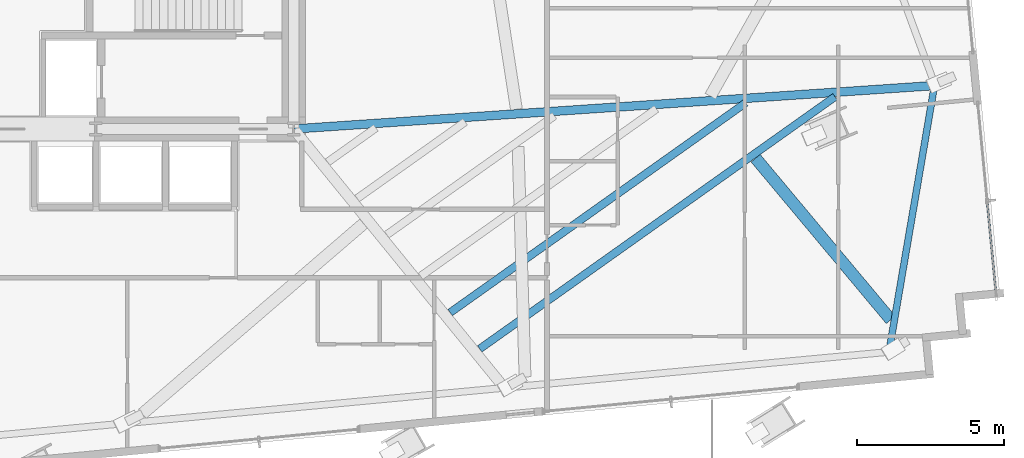
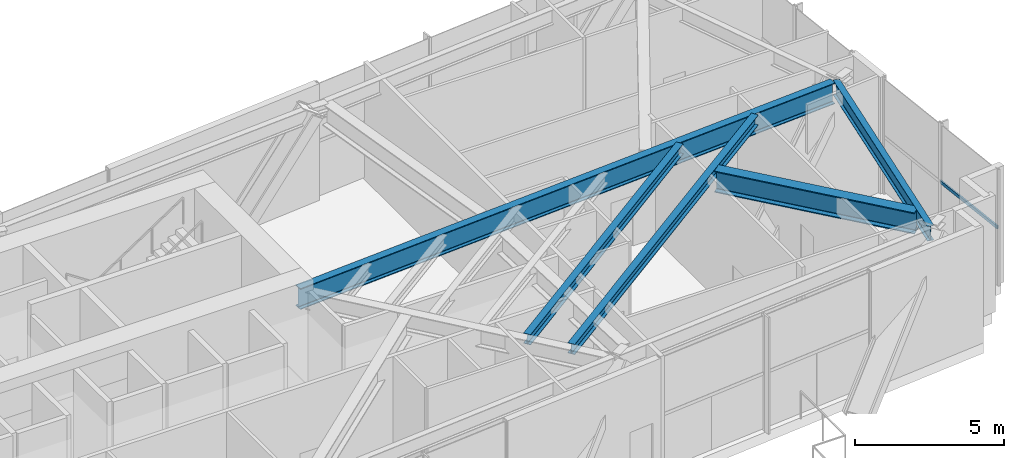
# One storey, part 13 of 28: 5 beams, 1 member, 1 element without a shape of its own.
"""IFC4 building model written with IfcOpenShell, lengths in metres."""

from ifc_helpers import new_model, si_unit, direction, frame, origin, origin_2d, place, context, subcontext, project, spatial, hollow_rectangle, i_section, extrude, source, transform, mapped, material, material_profile, profile_set, type_object, type_shapes, element, aggregate, save


model = new_model("IFC4")

# Units and contexts
model_context = context("Model", 3, precision=1e-05, world=origin(), true_north=direction((0.0, 1.0)))
body_context = subcontext(model_context, "Body", "Model", "MODEL_VIEW")
ifc_project = project(units=[si_unit("LENGTHUNIT", "METRE"), si_unit("AREAUNIT", "SQUARE_METRE"), si_unit("VOLUMEUNIT", "CUBIC_METRE"), si_unit("PLANEANGLEUNIT", "RADIAN"), si_unit("MASSUNIT", "GRAM", prefix="KILO")], contexts=[model_context])

# Site, building, storey
site_placement = place(None, origin())
site = spatial("IfcSite", under=ifc_project, at=site_placement, CompositionType="ELEMENT")
building_placement = place(site_placement, origin())
building = spatial("IfcBuilding", under=site, at=building_placement, Name="Astriad Promenade Condominiums", CompositionType="ELEMENT")
storey_placement = place(building_placement, frame((0.0, 0.0, 72.60009765625)))
storey = spatial("IfcBuildingStorey", under=building, at=storey_placement, Name="L20", CompositionType="ELEMENT", Elevation=72.60009765625)

# Beams
ifc_material_1 = material(Name="Steel ASTM A992 Grade 50", Category="steel")
ifc_material_profile_1 = material_profile(ifc_material_1, i_section(OverallWidth=0.22900390625, OverallDepth=0.612060546875, WebThickness=0.011962890625, FlangeThickness=0.01953125, FilletRadius=0.017822265625, at=origin_2d()), Name="W24X84")
ifc_profile_set_1 = profile_set([ifc_material_profile_1], Name="Steel ASTM A992 Grade 50")
beam_type_1 = type_object("IfcBeamType", Name="STEEL SPANDREL BEAM W24X84", PredefinedType="SPANDREL", material=ifc_profile_set_1)
shared_shape_1 = source(origin(), body_context, "Body", "SweptSolid", [
    extrude(i_section(OverallWidth=0.22900390625, OverallDepth=0.612060546875, WebThickness=0.011962890625, FlangeThickness=0.01953125, FilletRadius=0.017822265625, at=origin_2d()), origin(), (0.0, 0.0, 1.0), 9.133056640625),
])
type_shapes(beam_type_1, [shared_shape_1])
beam_1_placement = place(storey_placement, frame((65.8134765625, 9.874267578125, 4.473876953125), z_axis=(0.168381353911, 0.98572192816, 0.0), x_axis=(-0.98572192816, 0.168381353911, 0.0)))
element("IfcBeam", 1, at=beam_1_placement, inside=storey, type_object=beam_type_1, Name="Perimeter Spandrel Beam SP-E1-L20", PredefinedType="SPANDREL", context=body_context, shape_type="MappedRepresentation", body=[
    mapped(shared_shape_1, transform((0.0, 0.0, 0.0), scale=1.0)),
])
ifc_material_profile_2 = material_profile(ifc_material_1, i_section(OverallWidth=0.2919921875, OverallDepth=0.85888671875, WebThickness=0.01708984375, FlangeThickness=0.031005859375, FilletRadius=0.02294921875, at=origin_2d()), Name="W33X169")
ifc_profile_set_2 = profile_set([ifc_material_profile_2], Name="Steel ASTM A992 Grade 50")
beam_type_2 = type_object("IfcBeamType", Name="STEEL PRIMARY GIRDER W33X169", PredefinedType="BEAM", material=ifc_profile_set_2)
shared_shape_2 = source(origin(), body_context, "Body", "SweptSolid", [
    extrude(i_section(OverallWidth=0.2919921875, OverallDepth=0.85888671875, WebThickness=0.01708984375, FlangeThickness=0.031005859375, FilletRadius=0.02294921875, at=origin_2d()), origin(), (0.0, 0.0, 1.0), 21.61083984375),
])
type_shapes(beam_type_2, [shared_shape_2])
beam_2_placement = place(storey_placement, frame((67.201171875, 18.864013671875, 4.350341796875), z_axis=(-0.997710813287, -0.067624943988, 0.0), x_axis=(0.067624943988, -0.997710813287, 0.0)))
element("IfcBeam", 2, at=beam_2_placement, inside=storey, type_object=beam_type_2, Name="Primary Floor Girder PG-EM-L20", PredefinedType="BEAM", context=body_context, shape_type="MappedRepresentation", body=[
    mapped(shared_shape_2, transform((0.0, 0.0, 0.0), scale=1.0)),
])
ifc_material_profile_3 = material_profile(ifc_material_1, i_section(OverallWidth=0.26318359375, OverallDepth=0.425537109375, WebThickness=0.01318359375, FlangeThickness=0.022216796875, FilletRadius=0.013916015625, at=origin_2d()), Name="W16X89")
ifc_profile_set_3 = profile_set([ifc_material_profile_3], Name="Steel ASTM A992 Grade 50")
beam_type_3 = type_object("IfcBeamType", Name="STEEL FLOOR JOIST W16X89", PredefinedType="JOIST", material=ifc_profile_set_3)
shared_shape_3 = source(origin(), body_context, "Body", "SweptSolid", [
    extrude(i_section(OverallWidth=0.26318359375, OverallDepth=0.425537109375, WebThickness=0.01318359375, FlangeThickness=0.022216796875, FilletRadius=0.013916015625, at=origin_2d()), origin(), (0.0, 0.0, 1.0), 14.7841796875),
])
beam_3_placement = place(storey_placement, frame((51.918701171875, 9.9375, 4.567138671875), z_axis=(0.81549935062, 0.578757988401, 0.0), x_axis=(-0.578757988401, 0.81549935062, 0.0)))
element("IfcBeam", 3, at=beam_3_placement, inside=storey, type_object=beam_type_3, Name="Secondary Composite Floor Joist JE1-1-L20", PredefinedType="JOIST", context=body_context, shape_type="MappedRepresentation", body=[
    mapped(shared_shape_3, transform((0.0, 0.0, 0.0), scale=1.0)),
])
shared_shape_4 = source(origin(), body_context, "Body", "SweptSolid", [
    extrude(i_section(OverallWidth=0.26318359375, OverallDepth=0.425537109375, WebThickness=0.01318359375, FlangeThickness=0.022216796875, FilletRadius=0.013916015625, at=origin_2d()), origin(), (0.0, 0.0, 1.0), 12.29931640625),
])
type_shapes(beam_type_3, [shared_shape_3, shared_shape_4])
beam_4_placement = place(storey_placement, frame((50.915283203125, 11.170166015625, 4.567138671875), z_axis=(0.815494753795, 0.578764465506, 0.0), x_axis=(-0.578764465506, 0.815494753795, 0.0)))
element("IfcBeam", 4, at=beam_4_placement, inside=storey, type_object=beam_type_3, Name="Secondary Composite Floor Joist JE1-2-L20", PredefinedType="JOIST", context=body_context, shape_type="MappedRepresentation", body=[
    mapped(shared_shape_4, transform((0.0, 0.0, 0.0), scale=1.0)),
])
ifc_material_profile_4 = material_profile(ifc_material_1, i_section(OverallWidth=0.4013671875, OverallDepth=0.877197265625, WebThickness=0.022216796875, FlangeThickness=0.039794921875, FilletRadius=0.02294921875, at=origin_2d()), Name="W33X263")
ifc_profile_set_4 = profile_set([ifc_material_profile_4], Name="Steel ASTM A992 Grade 50")
beam_type_4 = type_object("IfcBeamType", Name="STEEL TRANSFER CARRIER GIRDER W33X263", PredefinedType="BEAM", material=ifc_profile_set_4)
shared_shape_5 = source(origin(), body_context, "Body", "SweptSolid", [
    extrude(i_section(OverallWidth=0.4013671875, OverallDepth=0.877197265625, WebThickness=0.022216796875, FlangeThickness=0.039794921875, FilletRadius=0.02294921875, at=origin_2d()), origin(), (0.0, 0.0, 1.0), 7.14990234375),
])
type_shapes(beam_type_4, [shared_shape_5])
beam_5_placement = place(storey_placement, frame((61.28125, 16.408203125, 4.34130859375), z_axis=(0.641630814602, -0.767013622926, 0.0), x_axis=(0.767013622926, 0.641630814602, 0.0)))
element("IfcBeam", 5, at=beam_5_placement, inside=storey, type_object=beam_type_4, Name="Transfer Splice Carrier TRM-SP-PC05-L20", PredefinedType="BEAM", context=body_context, shape_type="MappedRepresentation", body=[
    mapped(shared_shape_5, transform((0.0, 0.0, 0.0), scale=1.0)),
])

# Curtain wall, member
ifc_material_2 = material(Name="Anodised aluminium Black Dark Glass Unitised", Category="aluminium")
curtain_wall_type = type_object("IfcCurtainWallType", Name="CW-B2-DARK", PredefinedType="USERDEFINED", material=ifc_material_2)
curtain_wall_placement = place(storey_placement, origin())
curtain_wall = element("IfcCurtainWall", 6, at=curtain_wall_placement, inside=storey, type_object=curtain_wall_type, Name="CW-L20-E-2", ObjectType="UNITISED_CURTAIN_WALL", PredefinedType="USERDEFINED")
ifc_material_3 = material(Name="Anodised aluminium 6063-T6 Black", Category="aluminium")
ifc_material_profile_5 = material_profile(ifc_material_3, hollow_rectangle(XDim=0.06494140625, YDim=0.1298828125, WallThickness=0.00390625, at=origin_2d()), Name="ALU-TRN-65X130")
ifc_profile_set_5 = profile_set([ifc_material_profile_5], Name="Anodised aluminium 6063-T6 Black")
member_type = type_object("IfcMemberType", Name="TRN-ALU-TRN-65X130", PredefinedType="USERDEFINED", material=ifc_profile_set_5)
shared_shape_6 = source(origin(), body_context, "Body", "SweptSolid", [
    extrude(hollow_rectangle(XDim=0.06494140625, YDim=0.1298828125, WallThickness=0.00390625, at=origin_2d()), origin(), (0.0, 0.0, 1.0), 3.300048828125),
])
type_shapes(member_type, [shared_shape_6])
member_placement = place(storey_placement, frame((69.135986328125, 14.963134765625, 2.349853515625), z_axis=(0.095804034025, -0.995400214519, 0.0), x_axis=(0.995400214519, 0.095804034025, 0.0)))
member = element("IfcMember", 7, at=member_placement, type_object=member_type, Name="CW-L20-E-2-TRN-01-0", ObjectType="TRANSOM", PredefinedType="USERDEFINED", context=body_context, shape_type="MappedRepresentation", body=[
    mapped(shared_shape_6, transform((0.0, 0.0, 0.0), scale=1.0)),
])
aggregate(curtain_wall, [member])

save(model, "model.ifc")
